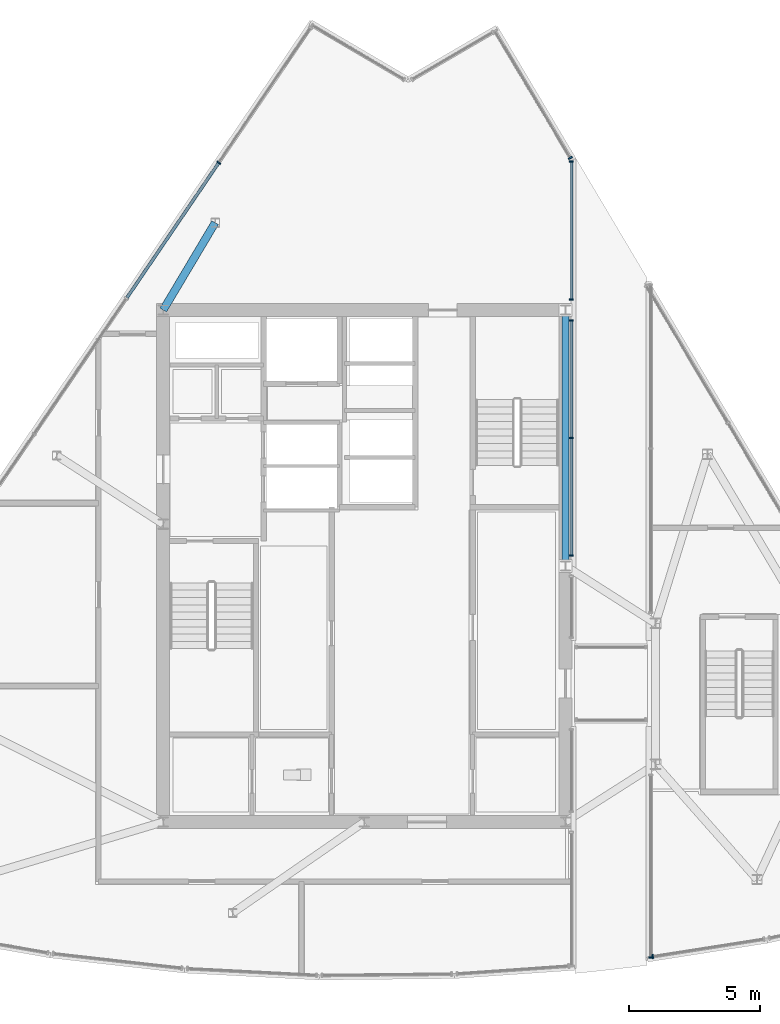
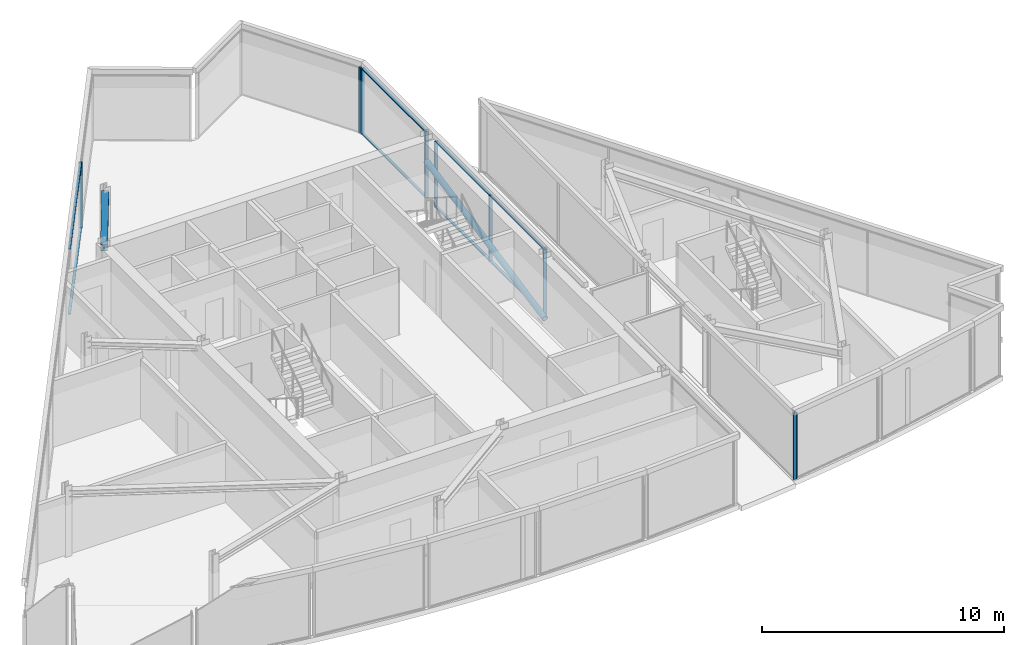
# One storey, part 5 of 15: 18 members, 1 beam, 6 elements without a shape of their own.
"""IFC4 building model written with IfcOpenShell, lengths in metres."""

from ifc_helpers import new_model, si_unit, direction, frame, origin, origin_2d, place, context, subcontext, project, spatial, rectangle, hollow_circle, i_section, extrude, material, material_profile, profile_set, type_object, element, aggregate, save


model = new_model("IFC4")

# Units and contexts
model_context = context("Model", 3, precision=1e-05, world=origin(), true_north=direction((0.0, 1.0)))
body_context = subcontext(model_context, "Body", "Model", "MODEL_VIEW")
ifc_project = project(units=[si_unit("LENGTHUNIT", "METRE"), si_unit("AREAUNIT", "SQUARE_METRE"), si_unit("VOLUMEUNIT", "CUBIC_METRE"), si_unit("PLANEANGLEUNIT", "RADIAN"), si_unit("MASSUNIT", "GRAM", prefix="KILO")], contexts=[model_context])

# Site, building, storey
site_placement = place(None, origin())
site = spatial("IfcSite", under=ifc_project, at=site_placement, CompositionType="ELEMENT")
building_placement = place(site_placement, origin())
building = spatial("IfcBuilding", under=site, at=building_placement, Name="Savorim Split Tower", CompositionType="ELEMENT")
storey_placement = place(building_placement, frame((0.0, 0.0, 297.60009765625)))
storey = spatial("IfcBuildingStorey", under=building, at=storey_placement, Name="Crown L79 Plant", CompositionType="ELEMENT", Elevation=297.60009765625)

# Beam
ifc_material_1 = material(Name="Steel S355", Category="steel")
ifc_material_profile_1 = material_profile(ifc_material_1, i_section(OverallWidth=0.300048828125, OverallDepth=0.320068359375, WebThickness=0.011474609375, FlangeThickness=0.0205078125, FilletRadius=0.027099609375, at=origin_2d()), Name="HEB 320")
ifc_profile_set_1 = profile_set([ifc_material_profile_1], Name="Steel S355")
beam_type = type_object("IfcBeamType", Name="BM-PRI-HEB320", PredefinedType="BEAM", material=ifc_profile_set_1)
beam_placement = place(storey_placement, frame((-5.710205078125, 13.542236328125, 3.179931640625), z_axis=(-0.511539031423, -0.85926004174, 0.0), x_axis=(0.85926004174, -0.511539031423, 0.0)))
element("IfcBeam", 1, at=beam_placement, inside=storey, type_object=beam_type, Name="Crown L79 Plant West Crown Beam WBG-5", PredefinedType="BEAM", context=body_context, shape_type="SweptSolid", body=[
    extrude(i_section(OverallWidth=0.300048828125, OverallDepth=0.320068359375, WebThickness=0.011474609375, FlangeThickness=0.0205078125, FilletRadius=0.027099609375, at=origin_2d()), origin(), (0.0, 0.0, 1.0), 3.8896484375),
])

# Curtain wall, members
ifc_material_2 = material(Name="Dark Ceramic-Fritted Insulated Glass", Category="glass")
curtain_wall_type = type_object("IfcCurtainWallType", Name="CW-CROWN-CREST", PredefinedType="NOTDEFINED", material=ifc_material_2)
curtain_wall_1_placement = place(storey_placement, origin())
curtain_wall_1 = element("IfcCurtainWall", 2, at=curtain_wall_1_placement, inside=storey, type_object=curtain_wall_type, Name="Crown L79 Plant Curtain Wall CW-Crown-L79-Plant-W1BS2", PredefinedType="NOTDEFINED")
ifc_material_3 = material(Name="Charcoal Anodised Aluminium", Category="aluminium")
ifc_material_profile_2 = material_profile(ifc_material_3, rectangle(XDim=0.159912109375, YDim=0.06005859375, at=origin_2d()), Name="ALU-M 160x60")
ifc_profile_set_2 = profile_set([ifc_material_profile_2], Name="Charcoal Anodised Aluminium")
member_type_1 = type_object("IfcMemberType", Name="CWM-160x60", PredefinedType="MULLION", material=ifc_profile_set_2)
member_1_placement = place(storey_placement, frame((7.929931640625, 0.7958984375, 0.0), z_axis=(0.0, 0.0, 1.0), x_axis=(-1.0, 0.0, 0.0)))
member_1 = element("IfcMember", 3, at=member_1_placement, type_object=member_type_1, Name="CW-07 mullion 1", PredefinedType="MULLION", context=body_context, shape_type="SweptSolid", body=[
    extrude(rectangle(XDim=0.159912109375, YDim=0.06005859375, at=origin_2d()), origin(), (0.0, 0.0, 1.0), 3.33984375),
])
member_2_placement = place(storey_placement, frame((7.929931640625, 5.300048828125, 0.0), z_axis=(0.0, 0.0, 1.0), x_axis=(-1.0, 0.0, 0.0)))
member_2 = element("IfcMember", 4, at=member_2_placement, type_object=member_type_1, Name="CW-07 mullion 2", PredefinedType="MULLION", context=body_context, shape_type="SweptSolid", body=[
    extrude(rectangle(XDim=0.159912109375, YDim=0.06005859375, at=origin_2d()), origin(), (0.0, 0.0, 1.0), 3.33984375),
])
member_3_placement = place(storey_placement, frame((7.929931640625, 9.803955078125, 0.0), z_axis=(0.0, 0.0, 1.0), x_axis=(-1.0, 0.0, 0.0)))
member_3 = element("IfcMember", 5, at=member_3_placement, type_object=member_type_1, Name="CW-07 mullion 3", PredefinedType="MULLION", context=body_context, shape_type="SweptSolid", body=[
    extrude(rectangle(XDim=0.159912109375, YDim=0.06005859375, at=origin_2d()), origin(), (0.0, 0.0, 1.0), 3.33984375),
])

curtain_wall_2_placement = place(storey_placement, origin())
curtain_wall_2 = element("IfcCurtainWall", 6, at=curtain_wall_2_placement, inside=storey, type_object=curtain_wall_type, Name="Crown L79 Plant Curtain Wall CW-Crown-L79-Plant-W1BS3", PredefinedType="NOTDEFINED")
member_4_placement = place(storey_placement, frame((7.929931640625, 10.595947265625, 0.0), z_axis=(0.0, 0.0, 1.0), x_axis=(-1.0, 0.0, 0.0)))
member_4 = element("IfcMember", 7, at=member_4_placement, type_object=member_type_1, Name="CW-07 mullion 1", PredefinedType="MULLION", context=body_context, shape_type="SweptSolid", body=[
    extrude(rectangle(XDim=0.159912109375, YDim=0.06005859375, at=origin_2d()), origin(), (0.0, 0.0, 1.0), 3.33984375),
])
member_5_placement = place(storey_placement, frame((7.929931640625, 15.88037109375, 0.0), z_axis=(0.0, 0.0, 1.0), x_axis=(-1.0, 0.0, 0.0)))
member_5 = element("IfcMember", 8, at=member_5_placement, type_object=member_type_1, Name="CW-07 mullion 2", PredefinedType="MULLION", context=body_context, shape_type="SweptSolid", body=[
    extrude(rectangle(XDim=0.159912109375, YDim=0.06005859375, at=origin_2d()), origin(), (0.0, 0.0, 1.0), 3.33984375),
])

# Curtain wall, member
curtain_wall_3_placement = place(storey_placement, origin())
curtain_wall_3 = element("IfcCurtainWall", 9, at=curtain_wall_3_placement, inside=storey, type_object=curtain_wall_type, Name="Crown L79 Plant Curtain Wall CW-Crown-L79-Plant-W2A", PredefinedType="NOTDEFINED")
member_6_placement = place(storey_placement, frame((7.890625, 16.0234375, 0.0), z_axis=(0.0, 0.0, 1.0), x_axis=(-0.85952112644, -0.511100218355, 0.0)))
member_6 = element("IfcMember", 10, at=member_6_placement, type_object=member_type_1, Name="CW-07 mullion 1", PredefinedType="MULLION", context=body_context, shape_type="SweptSolid", body=[
    extrude(rectangle(XDim=0.159912109375, YDim=0.06005859375, at=origin_2d()), origin(), (0.0, 0.0, 1.0), 3.33984375),
])
aggregate(curtain_wall_3, [member_6])

curtain_wall_4_placement = place(storey_placement, origin())
curtain_wall_4 = element("IfcCurtainWall", 11, at=curtain_wall_4_placement, inside=storey, type_object=curtain_wall_type, Name="Crown L79 Plant Curtain Wall CW-Crown-L79-Plant-W5A", PredefinedType="NOTDEFINED")
member_7_placement = place(storey_placement, frame((-5.572265625, 15.83837890625, 0.0), z_axis=(0.0, 0.0, 1.0), x_axis=(0.82682067148, -0.56246562314, 0.0)))
member_7 = element("IfcMember", 12, at=member_7_placement, type_object=member_type_1, Name="CW-07 mullion 2", PredefinedType="MULLION", context=body_context, shape_type="SweptSolid", body=[
    extrude(rectangle(XDim=0.159912109375, YDim=0.06005859375, at=origin_2d()), origin(), (0.0, 0.0, 1.0), 3.33984375),
])

curtain_wall_5_placement = place(storey_placement, origin())
curtain_wall_5 = element("IfcCurtainWall", 13, at=curtain_wall_5_placement, inside=storey, type_object=curtain_wall_type, Name="Crown L79 Plant Curtain Wall CW-Crown-L79-Plant-E1B", PredefinedType="NOTDEFINED")
member_8_placement = place(storey_placement, frame((10.969970703125, -14.5966796875, 0.0), z_axis=(0.0, 0.0, 1.0), x_axis=(1.0, 0.0, 0.0)))
member_8 = element("IfcMember", 14, at=member_8_placement, type_object=member_type_1, Name="CW-07 mullion 2", PredefinedType="MULLION", context=body_context, shape_type="SweptSolid", body=[
    extrude(rectangle(XDim=0.159912109375, YDim=0.06005859375, at=origin_2d()), origin(), (0.0, 0.0, 1.0), 3.33984375),
])
aggregate(curtain_wall_5, [member_8])

curtain_wall_6_placement = place(storey_placement, origin())
curtain_wall_6 = element("IfcCurtainWall", 15, at=curtain_wall_6_placement, inside=storey, type_object=curtain_wall_type, Name="Crown L79 Plant Curtain Wall CW-Crown-L79-Plant-E2A", PredefinedType="NOTDEFINED")
member_9_placement = place(storey_placement, frame((11.043701171875, -14.5546875, 0.0), z_axis=(0.0, 0.0, 1.0), x_axis=(-0.155193190285, 0.987884139811, 0.0)))
member_9 = element("IfcMember", 16, at=member_9_placement, type_object=member_type_1, Name="CW-07 mullion 1", PredefinedType="MULLION", context=body_context, shape_type="SweptSolid", body=[
    extrude(rectangle(XDim=0.159912109375, YDim=0.06005859375, at=origin_2d()), origin(), (0.0, 0.0, 1.0), 3.33984375),
])
aggregate(curtain_wall_6, [member_9])

# Member
ifc_material_profile_3 = material_profile(ifc_material_3, rectangle(XDim=0.1201171875, YDim=0.050048828125, at=origin_2d()), Name="ALU-T 120x50")
ifc_profile_set_3 = profile_set([ifc_material_profile_3], Name="Charcoal Anodised Aluminium")
member_type_2 = type_object("IfcMemberType", Name="CWT-120x50", PredefinedType="USERDEFINED", material=ifc_profile_set_3)
member_10_placement = place(storey_placement, frame((7.929931640625, 0.825927734375, 0.02490234375), z_axis=(0.0, 1.0, 0.0), x_axis=(-1.0, 0.0, 0.0)))
member_10 = element("IfcMember", 17, at=member_10_placement, type_object=member_type_2, Name="CW-07 transom 1.1", ObjectType="TRANSOM", PredefinedType="USERDEFINED", context=body_context, shape_type="SweptSolid", body=[
    extrude(rectangle(XDim=0.1201171875, YDim=0.050048828125, at=origin_2d()), origin(), (0.0, 0.0, 1.0), 4.444091796875),
])

member_11_placement = place(storey_placement, frame((7.929931640625, 0.825927734375, 3.31494140625), z_axis=(0.0, 1.0, 0.0), x_axis=(-1.0, 0.0, 0.0)))
member_11 = element("IfcMember", 18, at=member_11_placement, type_object=member_type_2, Name="CW-07 transom 1.2", ObjectType="TRANSOM", PredefinedType="USERDEFINED", context=body_context, shape_type="SweptSolid", body=[
    extrude(rectangle(XDim=0.1201171875, YDim=0.050048828125, at=origin_2d()), origin(), (0.0, 0.0, 1.0), 4.444091796875),
])

member_12_placement = place(storey_placement, frame((7.929931640625, 5.330078125, 0.02490234375), z_axis=(0.0, 1.0, 0.0), x_axis=(-1.0, 0.0, 0.0)))
member_12 = element("IfcMember", 19, at=member_12_placement, type_object=member_type_2, Name="CW-07 transom 2.1", ObjectType="TRANSOM", PredefinedType="USERDEFINED", context=body_context, shape_type="SweptSolid", body=[
    extrude(rectangle(XDim=0.1201171875, YDim=0.050048828125, at=origin_2d()), origin(), (0.0, 0.0, 1.0), 4.44384765625),
])

member_13_placement = place(storey_placement, frame((7.929931640625, 5.330078125, 3.31494140625), z_axis=(0.0, 1.0, 0.0), x_axis=(-1.0, 0.0, 0.0)))
member_13 = element("IfcMember", 20, at=member_13_placement, type_object=member_type_2, Name="CW-07 transom 2.2", ObjectType="TRANSOM", PredefinedType="USERDEFINED", context=body_context, shape_type="SweptSolid", body=[
    extrude(rectangle(XDim=0.1201171875, YDim=0.050048828125, at=origin_2d()), origin(), (0.0, 0.0, 1.0), 4.44384765625),
])

aggregate(curtain_wall_1, [member_1, member_2, member_3, member_10, member_11, member_12, member_13])

member_14_placement = place(storey_placement, frame((7.929931640625, 10.6259765625, 0.02490234375), z_axis=(0.0, 1.0, 0.0), x_axis=(-1.0, 0.0, 0.0)))
member_14 = element("IfcMember", 21, at=member_14_placement, type_object=member_type_2, Name="CW-07 transom 1.1", ObjectType="TRANSOM", PredefinedType="USERDEFINED", context=body_context, shape_type="SweptSolid", body=[
    extrude(rectangle(XDim=0.1201171875, YDim=0.050048828125, at=origin_2d()), origin(), (0.0, 0.0, 1.0), 5.224365234375),
])

member_15_placement = place(storey_placement, frame((7.929931640625, 10.6259765625, 3.31494140625), z_axis=(0.0, 1.0, 0.0), x_axis=(-1.0, 0.0, 0.0)))
member_15 = element("IfcMember", 22, at=member_15_placement, type_object=member_type_2, Name="CW-07 transom 1.2", ObjectType="TRANSOM", PredefinedType="USERDEFINED", context=body_context, shape_type="SweptSolid", body=[
    extrude(rectangle(XDim=0.1201171875, YDim=0.050048828125, at=origin_2d()), origin(), (0.0, 0.0, 1.0), 5.224365234375),
])

aggregate(curtain_wall_2, [member_4, member_5, member_14, member_15])

member_16_placement = place(storey_placement, frame((-5.589111328125, 15.8134765625, 0.02490234375), z_axis=(-0.56249141708, -0.826803123913, 0.0), x_axis=(0.826803123913, -0.56249141708, 0.0)))
member_16 = element("IfcMember", 23, at=member_16_placement, type_object=member_type_2, Name="CW-07 transom 2.1", ObjectType="TRANSOM", PredefinedType="USERDEFINED", context=body_context, shape_type="SweptSolid", body=[
    extrude(rectangle(XDim=0.1201171875, YDim=0.050048828125, at=origin_2d()), origin(), (0.0, 0.0, 1.0), 6.220947265625),
])

member_17_placement = place(storey_placement, frame((-5.589111328125, 15.8134765625, 3.31494140625), z_axis=(-0.56249141708, -0.826803123913, 0.0), x_axis=(0.826803123913, -0.56249141708, 0.0)))
member_17 = element("IfcMember", 24, at=member_17_placement, type_object=member_type_2, Name="CW-07 transom 2.2", ObjectType="TRANSOM", PredefinedType="USERDEFINED", context=body_context, shape_type="SweptSolid", body=[
    extrude(rectangle(XDim=0.1201171875, YDim=0.050048828125, at=origin_2d()), origin(), (0.0, 0.0, 1.0), 6.220947265625),
])

aggregate(curtain_wall_4, [member_7, member_16, member_17])

ifc_material_profile_4 = material_profile(ifc_material_1, hollow_circle(Radius=0.136474609375, WallThickness=0.01611328125, at=origin_2d()), Name="CHS 273x16")
ifc_profile_set_4 = profile_set([ifc_material_profile_4], Name="Steel S355")
member_type_3 = type_object("IfcMemberType", Name="MBR-CRN-CHS273", PredefinedType="BRACE", material=ifc_profile_set_4)
member_18_placement = place(storey_placement, frame((7.699951171875, 0.39990234375, 0.14990234375), z_axis=(0.0, 0.979804253974, 0.199959055543), x_axis=(-1.0, 0.0, 0.0)))
element("IfcMember", 25, at=member_18_placement, inside=storey, type_object=member_type_3, Name="Crown L79 Plant Split Crown Spine Brace 1", PredefinedType="BRACE", context=body_context, shape_type="SweptSolid", body=[
    extrude(hollow_circle(Radius=0.136474609375, WallThickness=0.01611328125, at=origin_2d()), origin(), (0.0, 0.0, 1.0), 10.001953125),
])

save(model, "model.ifc")
